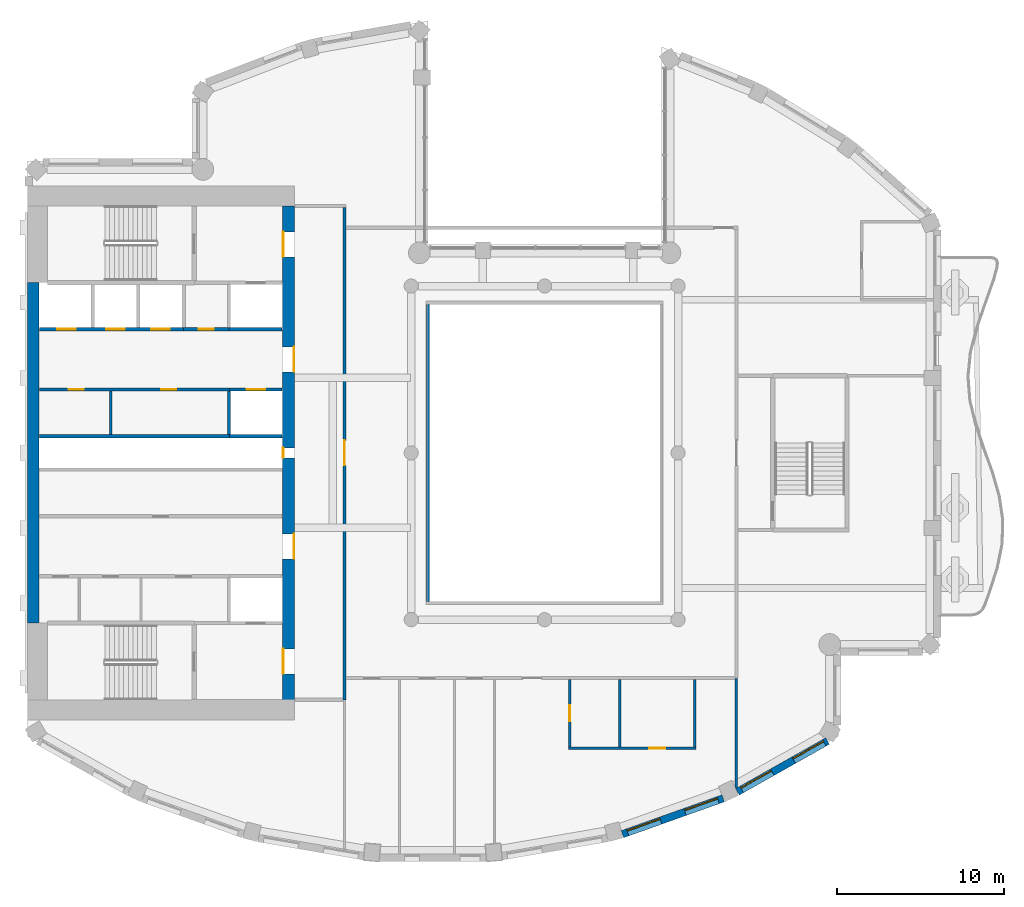
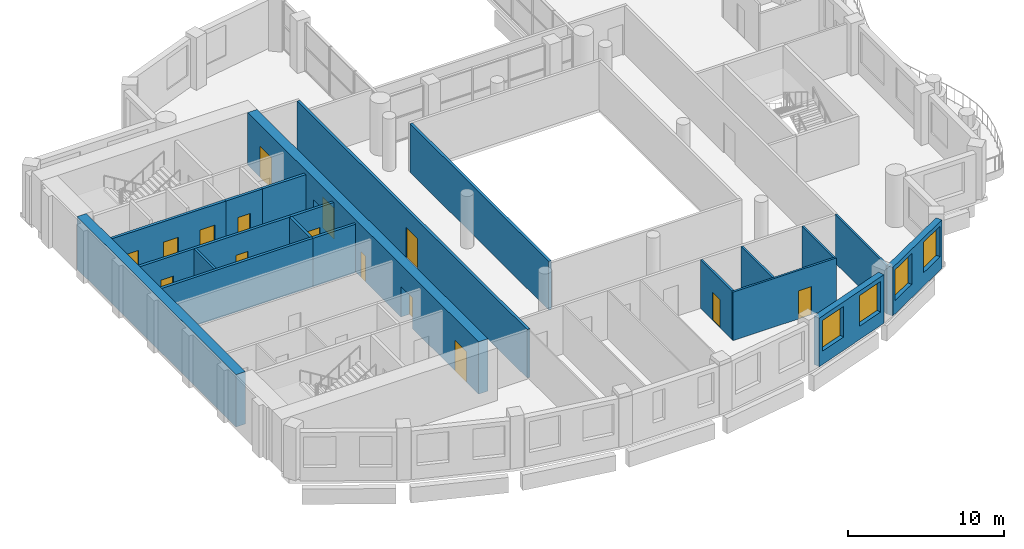
# One storey, part 5 of 14: 20 walls, 15 doors, 4 windows, 19 openings.
"""IFC4 building model written with IfcOpenShell, lengths in metres."""

import ifcopenshell
import ifcopenshell.guid

model = None  # the IFC model being written
_history = None  # IfcOwnerHistory: only IFC2X3 demands one
_inside = {}  # id of a spatial element -> (the spatial element, [elements in it])
_under = {}  # id of a project, library or spatial element -> (it, [spatial elements below it])
_declared = {}  # id of a project -> (the project, [libraries it declares])
_typed = {}  # id of a type object -> (the type object, [elements of that type])
_made_of = {}  # id of a material, layer set ... -> (it, [elements and type objects made of it])


def new_model(schema):
    """Start an empty IFC model of exactly this schema.

    Asked for "IFC4X3", IfcOpenShell would pick the latest addendum, in which some entities
    have other attributes; the version numbers below select the first issue.
    IFC2X3 requires an IfcOwnerHistory on every rooted entity: one is made here for all.
    """
    global model, _history
    if schema == "IFC4X3":
        model = ifcopenshell.file(schema_version=(4, 3, 0, 0))
    else:
        model = ifcopenshell.file(schema=schema)
    _inside.clear()
    _under.clear()
    _declared.clear()
    _typed.clear()
    _made_of.clear()
    _history = None
    if model.schema == "IFC2X3":
        org = make("IfcOrganization", Name="unknown")
        user = make(
            "IfcPersonAndOrganization",
            ThePerson=make("IfcPerson", FamilyName="unknown"),
            TheOrganization=org,
        )
        app = make(
            "IfcApplication",
            ApplicationDeveloper=org,
            Version="unknown",
            ApplicationFullName="unknown",
            ApplicationIdentifier="unknown",
        )
        _history = make(
            "IfcOwnerHistory",
            OwningUser=user,
            OwningApplication=app,
            ChangeAction="ADDED",
            CreationDate=0,
        )
    return model


def make(cls, **values):
    """One entity of the class cls with the attributes given. An attribute that is None is left unset."""
    return model.create_entity(
        cls, **{name: value for name, value in values.items() if value is not None}
    )


def rooted(cls, **values):
    """An entity with a GlobalId (a new one), such as an element, a storey or a relation."""
    return make(cls, GlobalId=ifcopenshell.guid.new(), OwnerHistory=_history, **values)


def si_unit(unit_type, name, prefix=None):
    """IfcSIUnit, for example si_unit("LENGTHUNIT", "METRE", prefix="MILLI")."""
    return make("IfcSIUnit", UnitType=unit_type, Prefix=prefix, Name=name)


def assignment(units):
    """IfcUnitAssignment: the units of a project."""
    return None if units is None else make("IfcUnitAssignment", Units=units)


def point(xyz):
    """IfcCartesianPoint."""
    return None if xyz is None else make("IfcCartesianPoint", Coordinates=xyz)


def direction(xyz):
    """IfcDirection."""
    return None if xyz is None else make("IfcDirection", DirectionRatios=xyz)


def frame(location, z_axis=None, x_axis=None):
    """IfcAxis2Placement3D, a coordinate frame: its origin and axes. An axis left out is left unset."""
    return make(
        "IfcAxis2Placement3D",
        Location=point(location),
        Axis=direction(z_axis),
        RefDirection=direction(x_axis),
    )


def frame_2d(location, x_axis=None):
    """IfcAxis2Placement2D, a coordinate frame in the plane: its origin and x axis."""
    return make(
        "IfcAxis2Placement2D", Location=point(location), RefDirection=direction(x_axis)
    )


def origin():
    """The frame at (0, 0, 0) with its axes left unset."""
    return frame((0.0, 0.0, 0.0))


def place(relative_to, where):
    """IfcLocalPlacement: puts the frame where relative to a parent placement (None: the world)."""
    return make(
        "IfcLocalPlacement", PlacementRelTo=relative_to, RelativePlacement=where
    )


def context(
    kind, dimensions, precision=None, world=None, true_north=None, identifier=None
):
    """IfcGeometricRepresentationContext, for example the 3D "Model" context."""
    return make(
        "IfcGeometricRepresentationContext",
        ContextIdentifier=identifier,
        ContextType=kind,
        CoordinateSpaceDimension=dimensions,
        Precision=precision,
        WorldCoordinateSystem=world,
        TrueNorth=true_north,
    )


def subcontext(parent, identifier, kind, view, scale=None):
    """IfcGeometricRepresentationSubContext, for example "Body" below "Model"."""
    return make(
        "IfcGeometricRepresentationSubContext",
        ContextIdentifier=identifier,
        ContextType=kind,
        ParentContext=parent,
        TargetScale=scale,
        TargetView=view,
    )


def project(units=None, contexts=None):
    """IfcProject with its units and contexts."""
    return rooted(
        "IfcProject",
        Name="project",
        RepresentationContexts=contexts,
        UnitsInContext=assignment(units),
    )


def spatial(cls, under=None, at=None, **own):
    """A site, building, storey or space (cls), placed at a placement, below another one or the project."""
    s = rooted(cls, ObjectPlacement=at, **own)
    if under is not None:
        _under.setdefault(under.id(), (under, []))[1].append(s)
    return s


def profile(cls, at=None, kind="AREA", **sizes):
    """A parametric profile (cls). Its sizes go by their IFC names, for example OverallWidth=200.0."""
    return make(cls, ProfileType=kind, Position=at, **sizes)


def rectangle(**sizes):
    """IfcRectangleProfileDef."""
    return profile("IfcRectangleProfileDef", **sizes)


def extrude(swept, where, along, depth):
    """IfcExtrudedAreaSolid: the profile swept, set in the frame where, extruded along a direction by depth."""
    return make(
        "IfcExtrudedAreaSolid",
        SweptArea=swept,
        Position=where,
        ExtrudedDirection=direction(along),
        Depth=depth,
    )


def shape(context_of_items, identifier, shape_type, items):
    """IfcShapeRepresentation: the items that make up one representation, for example the "Body"."""
    return make(
        "IfcShapeRepresentation",
        ContextOfItems=context_of_items,
        RepresentationIdentifier=identifier,
        RepresentationType=shape_type,
        Items=items,
    )


def material(Name=None, Category=None):
    """IfcMaterial."""
    return make("IfcMaterial", Name=Name, Category=Category)


def layer(
    of_material, thickness, ventilated=None, Name=None, Category=None, Priority=None
):
    """IfcMaterialLayer: one layer of a wall or slab, of a material (None: an air gap)."""
    return make(
        "IfcMaterialLayer",
        Material=of_material,
        LayerThickness=thickness,
        IsVentilated=ventilated,
        Name=Name,
        Category=Category,
        Priority=Priority,
    )


def layer_set(layers, Name=None):
    """IfcMaterialLayerSet."""
    return make("IfcMaterialLayerSet", MaterialLayers=layers, LayerSetName=Name)


def made_of(thing, what):
    """Note that an element or type object is made of a material, layer set ...; save() writes the relation."""
    if what is not None:
        _made_of.setdefault(what.id(), (what, []))[1].append(thing)
    return thing


def type_object(cls, material=None, **own):
    """A type object (cls), such as IfcWallType, which elements share."""
    return made_of(rooted(cls, **own), material)


def element(
    cls,
    number,
    at=None,
    inside=None,
    cuts=None,
    type_object=None,
    material=None,
    context=None,
    identifier="Body",
    shape_type=None,
    held_by="IfcProductDefinitionShape",
    body=None,
    shapes=None,
    **own,
):
    """One element of the class cls, such as IfcWall. Its Tag is "e" and its number.

    at: its placement. inside: the storey or other place that contains it. cuts: it is an
    opening in that element (IfcRelVoidsElement). A single representation is given by context,
    identifier, shape_type and body (its items); several are given by shapes. held_by: the class
    of the entity that holds the representations. save() writes the other relations.
    """
    e = rooted(cls, Tag="e%d" % number, ObjectPlacement=at, **own)
    if body is not None:
        shapes = [shape(context, identifier, shape_type, body)]
    if shapes is not None:
        e.Representation = make(held_by, Representations=shapes)
    if inside is not None:
        _inside.setdefault(inside.id(), (inside, []))[1].append(e)
    if cuts is not None:
        rooted(
            "IfcRelVoidsElement", RelatingBuildingElement=cuts, RelatedOpeningElement=e
        )
    if type_object is not None:
        _typed.setdefault(type_object.id(), (type_object, []))[1].append(e)
    return made_of(e, material)


def fill(opening, filler):
    """IfcRelFillsElement: the door or window that sits in an opening."""
    return rooted(
        "IfcRelFillsElement",
        RelatingOpeningElement=opening,
        RelatedBuildingElement=filler,
    )


def aggregate(whole, parts):
    """IfcRelAggregates: a whole, such as a stair, and the parts it consists of."""
    return rooted("IfcRelAggregates", RelatingObject=whole, RelatedObjects=parts)


def save(model, path):
    """Write the relations noted so far, then the file.

    IfcRelAggregates (storeys below a building ...), IfcRelContainedInSpatialStructure (elements
    in a storey), IfcRelDefinesByType, IfcRelAssociatesMaterial and IfcRelDeclares: one each for
    every whole, place, type object, material and project.
    """
    for whole, parts in _under.values():
        aggregate(whole, parts)
    for where, things in _inside.values():
        rooted(
            "IfcRelContainedInSpatialStructure",
            RelatedElements=things,
            RelatingStructure=where,
        )
    for kind, things in _typed.values():
        rooted("IfcRelDefinesByType", RelatedObjects=things, RelatingType=kind)
    for what, things in _made_of.values():
        rooted("IfcRelAssociatesMaterial", RelatedObjects=things, RelatingMaterial=what)
    for by, libraries in _declared.values():
        rooted("IfcRelDeclares", RelatingContext=by, RelatedDefinitions=libraries)
    model.write(path)


model = new_model("IFC4")

# Units and contexts
model_context = context("Model", 3, precision=1e-05, world=origin(), true_north=direction((0.0, 1.0)))
body_context = subcontext(model_context, "Body", "Model", "MODEL_VIEW")
ifc_project = project(units=[si_unit("LENGTHUNIT", "METRE"), si_unit("AREAUNIT", "SQUARE_METRE"), si_unit("VOLUMEUNIT", "CUBIC_METRE"), si_unit("PLANEANGLEUNIT", "RADIAN"), si_unit("MASSUNIT", "GRAM", prefix="KILO")], contexts=[model_context])

# Site, building, storey
site_placement = place(None, origin())
site = spatial("IfcSite", under=ifc_project, at=site_placement, CompositionType="ELEMENT")
building_placement = place(site_placement, origin())
building = spatial("IfcBuilding", under=site, at=building_placement, Name="Cypress Arch Tower", CompositionType="ELEMENT")
storey_placement = place(building_placement, frame((0.0, 0.0, 263.89990234375)))
storey = spatial("IfcBuildingStorey", under=building, at=storey_placement, Name="L59", CompositionType="ELEMENT", Elevation=263.89990234375)

# Wall, openings, windows
ifc_material_1 = material(Name="Brick (red buff blend)", Category="masonry")
ifc_layer_1 = layer(ifc_material_1, 0.449951171875)
ifc_layer_set_1 = layer_set([ifc_layer_1], Name="Brick pier and spandrel wall BW450")
wall_type_1 = type_object("IfcWallType", Name="Brick pier and spandrel wall BW450", PredefinedType="SOLIDWALL", material=ifc_layer_set_1)
wall_1_placement = place(storey_placement, frame((5.66455078125, -22.859375, 0.0), z_axis=(0.0, 0.0, 1.0), x_axis=(0.942108340262, 0.335308626803, 0.0)))
wall_1 = element("IfcWall", 1, at=wall_1_placement, inside=storey, type_object=wall_type_1, Name="Brick wall L59 C13.0", PredefinedType="SOLIDWALL", context=body_context, shape_type="SweptSolid", body=[
    extrude(rectangle(XDim=6.41162109375, YDim=0.449951171875, at=frame_2d((3.205810546875, 0.0))), origin(), (0.0, 0.0, 1.0), 3.800048828125),
])
opening_1_placement = place(wall_1_placement, frame((0.3271484375, 0.0, 1.050048828125)))
opening_1 = element("IfcOpeningElement", 2, at=opening_1_placement, cuts=wall_1, Name="Opening W210O", PredefinedType="OPENING", context=body_context, shape_type="SweptSolid", body=[
    extrude(rectangle(XDim=2.10009765625, YDim=2.39990234375, at=frame_2d((1.050048828125, 1.199951171875))), frame((0.0, 0.23486328125, 0.0), z_axis=(0.0, -1.0, 0.0), x_axis=(1.0, 0.0, 0.0)), (0.0, 0.0, 1.0), 0.469970703125),
])
opening_2_placement = place(wall_1_placement, frame((3.984619140625, 0.0, 1.050048828125)))
opening_2 = element("IfcOpeningElement", 3, at=opening_2_placement, cuts=wall_1, Name="Opening W210O", PredefinedType="OPENING", context=body_context, shape_type="SweptSolid", body=[
    extrude(rectangle(XDim=2.10009765625, YDim=2.39990234375, at=frame_2d((1.050048828125, 1.199951171875))), frame((0.0, 0.23486328125, 0.0), z_axis=(0.0, -1.0, 0.0), x_axis=(1.0, 0.0, 0.0)), (0.0, 0.0, 1.0), 0.469970703125),
])
ifc_material_2 = material(Name="Anodised aluminium, bronze finish, clear low-emissivity double glazing", Category="aluminium")
window_type = type_object("IfcWindowType", Name="Window Office 2100x2400", PartitioningType="SINGLE_PANEL", PredefinedType="WINDOW", material=ifc_material_2)
window_1_placement = place(opening_1_placement, origin())
window_1 = element("IfcWindow", 4, at=window_1_placement, inside=storey, type_object=window_type, Name="Window L59 C13.0.1", OverallHeight=2.39990234375, OverallWidth=2.10009765625, PartitioningType="SINGLE_PANEL", PredefinedType="WINDOW", context=body_context, shape_type="SweptSolid", body=[
    extrude(rectangle(XDim=2.10009765625, YDim=2.39990234375, at=frame_2d((1.050048828125, 1.199951171875))), frame((0.0, 0.135009765625, 0.0), z_axis=(0.0, -1.0, 0.0), x_axis=(1.0, 0.0, 0.0)), (0.0, 0.0, 1.0), 0.06005859375),
])
fill(opening_1, window_1)
window_2_placement = place(opening_2_placement, origin())
window_2 = element("IfcWindow", 5, at=window_2_placement, inside=storey, type_object=window_type, Name="Window L59 C13.0.2", OverallHeight=2.39990234375, OverallWidth=2.10009765625, PartitioningType="SINGLE_PANEL", PredefinedType="WINDOW", context=body_context, shape_type="SweptSolid", body=[
    extrude(rectangle(XDim=2.10009765625, YDim=2.39990234375, at=frame_2d((1.050048828125, 1.199951171875))), frame((0.0, 0.135009765625, 0.0), z_axis=(0.0, -1.0, 0.0), x_axis=(1.0, 0.0, 0.0)), (0.0, 0.0, 1.0), 0.06005859375),
])
fill(opening_2, window_2)

wall_2_placement = place(storey_placement, frame((12.55908203125, -20.320068359375, 0.0), z_axis=(0.0, 0.0, 1.0), x_axis=(0.871065783524, 0.491166367714, 0.0)))
wall_2 = element("IfcWall", 6, at=wall_2_placement, inside=storey, type_object=wall_type_1, Name="Brick wall L59 C14.0", PredefinedType="SOLIDWALL", context=body_context, shape_type="SweptSolid", body=[
    extrude(rectangle(XDim=6.1962890625, YDim=0.449951171875, at=frame_2d((3.09814453125, 0.0))), origin(), (0.0, 0.0, 1.0), 3.800048828125),
])
opening_3_placement = place(wall_2_placement, frame((0.29052734375, 0.0, 1.050048828125)))
opening_3 = element("IfcOpeningElement", 7, at=opening_3_placement, cuts=wall_2, Name="Opening W210O", PredefinedType="OPENING", context=body_context, shape_type="SweptSolid", body=[
    extrude(rectangle(XDim=2.10009765625, YDim=2.39990234375, at=frame_2d((1.050048828125, 1.199951171875))), frame((0.0, 0.23486328125, 0.0), z_axis=(0.0, -1.0, 0.0), x_axis=(1.0, 0.0, 0.0)), (0.0, 0.0, 1.0), 0.469970703125),
])
opening_4_placement = place(wall_2_placement, frame((3.875244140625, 0.0, 1.050048828125)))
opening_4 = element("IfcOpeningElement", 8, at=opening_4_placement, cuts=wall_2, Name="Opening W210O", PredefinedType="OPENING", context=body_context, shape_type="SweptSolid", body=[
    extrude(rectangle(XDim=2.10009765625, YDim=2.39990234375, at=frame_2d((1.050048828125, 1.199951171875))), frame((0.0, 0.23486328125, 0.0), z_axis=(0.0, -1.0, 0.0), x_axis=(1.0, 0.0, 0.0)), (0.0, 0.0, 1.0), 0.469970703125),
])
window_3_placement = place(opening_3_placement, origin())
window_3 = element("IfcWindow", 9, at=window_3_placement, inside=storey, type_object=window_type, Name="Window L59 C14.0.1", OverallHeight=2.39990234375, OverallWidth=2.10009765625, PartitioningType="SINGLE_PANEL", PredefinedType="WINDOW", context=body_context, shape_type="SweptSolid", body=[
    extrude(rectangle(XDim=2.10009765625, YDim=2.39990234375, at=frame_2d((1.050048828125, 1.199951171875))), frame((0.0, 0.135009765625, 0.0), z_axis=(0.0, -1.0, 0.0), x_axis=(1.0, 0.0, 0.0)), (0.0, 0.0, 1.0), 0.06005859375),
])
fill(opening_3, window_3)
window_4_placement = place(opening_4_placement, origin())
window_4 = element("IfcWindow", 10, at=window_4_placement, inside=storey, type_object=window_type, Name="Window L59 C14.0.2", OverallHeight=2.39990234375, OverallWidth=2.10009765625, PartitioningType="SINGLE_PANEL", PredefinedType="WINDOW", context=body_context, shape_type="SweptSolid", body=[
    extrude(rectangle(XDim=2.10009765625, YDim=2.39990234375, at=frame_2d((1.050048828125, 1.199951171875))), frame((0.0, 0.135009765625, 0.0), z_axis=(0.0, -1.0, 0.0), x_axis=(1.0, 0.0, 0.0)), (0.0, 0.0, 1.0), 0.06005859375),
])
fill(opening_4, window_4)

# Wall, openings, doors
ifc_material_3 = material(Name="Concrete C60/75", Category="concrete")
ifc_layer_2 = layer(ifc_material_3, 0.699951171875)
ifc_layer_set_2 = layer_set([ifc_layer_2], Name="Core wall CW700 C60/75")
wall_type_2 = type_object("IfcWallType", Name="Core wall CW700 C60/75", PredefinedType="SHEAR", material=ifc_layer_set_2)
wall_3_placement = place(storey_placement, frame((-14.35009765625, -14.800048828125, 0.0), z_axis=(0.0, 0.0, 1.0), x_axis=(0.0, 1.0, 0.0)))
wall_3 = element("IfcWall", 11, at=wall_3_placement, inside=storey, type_object=wall_type_2, Name="Core wall", PredefinedType="SHEAR", context=body_context, shape_type="SweptSolid", body=[
    extrude(rectangle(XDim=29.60009765625, YDim=0.699951171875, at=frame_2d((14.800048828125, 0.0))), origin(), (0.0, 0.0, 1.0), 4.10009765625),
])
opening_5_placement = place(wall_3_placement, frame((1.550048828125, 0.0, 0.0)))
opening_5 = element("IfcOpeningElement", 12, at=opening_5_placement, cuts=wall_3, Name="Opening D07", PredefinedType="OPENING", context=body_context, shape_type="SweptSolid", body=[
    extrude(rectangle(XDim=1.5, YDim=2.39990234375, at=frame_2d((0.75, 1.199951171875))), frame((0.0, 0.35986328125, 0.0), z_axis=(0.0, -1.0, 0.0), x_axis=(1.0, 0.0, 0.0)), (0.0, 0.0, 1.0), 0.719970703125),
])
opening_6_placement = place(wall_3_placement, frame((26.550048828125, 0.0, 0.0)))
opening_6 = element("IfcOpeningElement", 13, at=opening_6_placement, cuts=wall_3, Name="Opening D07", PredefinedType="OPENING", context=body_context, shape_type="SweptSolid", body=[
    extrude(rectangle(XDim=1.5, YDim=2.39990234375, at=frame_2d((0.75, 1.199951171875))), frame((0.0, 0.35986328125, 0.0), z_axis=(0.0, -1.0, 0.0), x_axis=(1.0, 0.0, 0.0)), (0.0, 0.0, 1.0), 0.719970703125),
])
opening_7_placement = place(wall_3_placement, frame((8.449951171875, 0.0, 0.0)))
opening_7 = element("IfcOpeningElement", 14, at=opening_7_placement, cuts=wall_3, Name="Opening D07", PredefinedType="OPENING", context=body_context, shape_type="SweptSolid", body=[
    extrude(rectangle(XDim=1.5, YDim=2.39990234375, at=frame_2d((0.75, 1.199951171875))), frame((0.0, 0.35986328125, 0.0), z_axis=(0.0, -1.0, 0.0), x_axis=(1.0, 0.0, 0.0)), (0.0, 0.0, 1.0), 0.719970703125),
])
opening_8_placement = place(wall_3_placement, frame((19.64990234375, 0.0, 0.0)))
opening_8 = element("IfcOpeningElement", 15, at=opening_8_placement, cuts=wall_3, Name="Opening D07", PredefinedType="OPENING", context=body_context, shape_type="SweptSolid", body=[
    extrude(rectangle(XDim=1.5, YDim=2.39990234375, at=frame_2d((0.75, 1.199951171875))), frame((0.0, 0.35986328125, 0.0), z_axis=(0.0, -1.0, 0.0), x_axis=(1.0, 0.0, 0.0)), (0.0, 0.0, 1.0), 0.719970703125),
])
opening_9_placement = place(wall_3_placement, frame((14.5, 0.0, 0.0)))
opening_9 = element("IfcOpeningElement", 16, at=opening_9_placement, cuts=wall_3, Name="Opening D08", PredefinedType="OPENING", context=body_context, shape_type="SweptSolid", body=[
    extrude(rectangle(XDim=0.60009765625, YDim=2.0, at=frame_2d((0.300048828125, 1.0))), frame((0.0, 0.35986328125, 0.0), z_axis=(0.0, -1.0, 0.0), x_axis=(1.0, 0.0, 0.0)), (0.0, 0.0, 1.0), 0.719970703125),
])
ifc_material_4 = material(Name="Steel framed glazed door, fire resisting", Category="steel")
door_type_1 = type_object("IfcDoorType", Name="Lobby door D07 1500x2400", OperationType="DOUBLE_DOOR_SINGLE_SWING", PredefinedType="DOOR", material=ifc_material_4)
door_1_placement = place(opening_5_placement, origin())
door_1 = element("IfcDoor", 17, at=door_1_placement, inside=storey, type_object=door_type_1, Name="Lobby door", OperationType="DOUBLE_DOOR_SINGLE_SWING", OverallHeight=2.39990234375, OverallWidth=1.5, PredefinedType="DOOR", context=body_context, shape_type="SweptSolid", body=[
    extrude(rectangle(XDim=1.5, YDim=2.39990234375, at=frame_2d((0.75, 1.199951171875))), frame((0.0, 0.34521484375, 0.0), z_axis=(0.0, -1.0, 0.0), x_axis=(1.0, 0.0, 0.0)), (0.0, 0.0, 1.0), 0.050048828125),
])
fill(opening_5, door_1)
door_2_placement = place(opening_6_placement, origin())
door_2 = element("IfcDoor", 18, at=door_2_placement, inside=storey, type_object=door_type_1, Name="Lobby door", OperationType="DOUBLE_DOOR_SINGLE_SWING", OverallHeight=2.39990234375, OverallWidth=1.5, PredefinedType="DOOR", context=body_context, shape_type="SweptSolid", body=[
    extrude(rectangle(XDim=1.5, YDim=2.39990234375, at=frame_2d((0.75, 1.199951171875))), frame((0.0, 0.34521484375, 0.0), z_axis=(0.0, -1.0, 0.0), x_axis=(1.0, 0.0, 0.0)), (0.0, 0.0, 1.0), 0.050048828125),
])
fill(opening_6, door_2)
door_3_placement = place(opening_7_placement, origin())
door_3 = element("IfcDoor", 19, at=door_3_placement, inside=storey, type_object=door_type_1, Name="Lobby door", OperationType="DOUBLE_DOOR_SINGLE_SWING", OverallHeight=2.39990234375, OverallWidth=1.5, PredefinedType="DOOR", context=body_context, shape_type="SweptSolid", body=[
    extrude(rectangle(XDim=1.5, YDim=2.39990234375, at=frame_2d((0.75, 1.199951171875))), frame((0.0, -0.294921875, 0.0), z_axis=(0.0, -1.0, 0.0), x_axis=(1.0, 0.0, 0.0)), (0.0, 0.0, 1.0), 0.050048828125),
])
fill(opening_7, door_3)
door_4_placement = place(opening_8_placement, origin())
door_4 = element("IfcDoor", 20, at=door_4_placement, inside=storey, type_object=door_type_1, Name="Lobby door", OperationType="DOUBLE_DOOR_SINGLE_SWING", OverallHeight=2.39990234375, OverallWidth=1.5, PredefinedType="DOOR", context=body_context, shape_type="SweptSolid", body=[
    extrude(rectangle(XDim=1.5, YDim=2.39990234375, at=frame_2d((0.75, 1.199951171875))), frame((0.0, -0.294921875, 0.0), z_axis=(0.0, -1.0, 0.0), x_axis=(1.0, 0.0, 0.0)), (0.0, 0.0, 1.0), 0.050048828125),
])
fill(opening_8, door_4)
ifc_material_5 = material(Name="Steel access door, fire resisting", Category="steel")
door_type_2 = type_object("IfcDoorType", Name="Riser access door D08 600x2000", OperationType="SINGLE_SWING_LEFT", PredefinedType="DOOR", material=ifc_material_5)
door_5_placement = place(opening_9_placement, origin())
door_5 = element("IfcDoor", 21, at=door_5_placement, inside=storey, type_object=door_type_2, Name="Riser access door", OperationType="SINGLE_SWING_RIGHT", OverallHeight=2.0, OverallWidth=0.60009765625, PredefinedType="DOOR", context=body_context, shape_type="SweptSolid", body=[
    extrude(rectangle(XDim=0.60009765625, YDim=2.0, at=frame_2d((0.300048828125, 1.0))), frame((0.0, 0.34521484375, 0.0), z_axis=(0.0, -1.0, 0.0), x_axis=(1.0, 0.0, 0.0)), (0.0, 0.0, 1.0), 0.050048828125),
])
fill(opening_9, door_5)

# Wall
wall_4_placement = place(storey_placement, frame((-29.64990234375, -10.199951171875, 0.0), z_axis=(0.0, 0.0, 1.0), x_axis=(0.0, 1.0, 0.0)))
element("IfcWall", 22, at=wall_4_placement, inside=storey, type_object=wall_type_2, Name="Core wall", PredefinedType="SHEAR", context=body_context, shape_type="SweptSolid", body=[
    extrude(rectangle(XDim=20.39990234375, YDim=0.699951171875, at=frame_2d((10.199951171875, 0.0))), origin(), (0.0, 0.0, 1.0), 4.10009765625),
])

# Wall, openings, doors
ifc_material_6 = material(Name="Concrete blockwork, plastered, rated", Category="masonry")
ifc_layer_3 = layer(ifc_material_6, 0.199951171875)
ifc_layer_set_3 = layer_set([ifc_layer_3], Name="Corridor wall FW200")
wall_type_3 = type_object("IfcWallType", Name="Corridor wall FW200", PredefinedType="PARTITIONING", material=ifc_layer_set_3)
wall_5_placement = place(storey_placement, frame((-29.27001953125, 3.800048828125, 0.0), z_axis=(0.0, 0.0, 1.0), x_axis=(1.0, 0.0, 0.0)))
wall_5 = element("IfcWall", 23, at=wall_5_placement, inside=storey, type_object=wall_type_3, Name="Corridor wall", PredefinedType="PARTITIONING", context=body_context, shape_type="SweptSolid", body=[
    extrude(rectangle(XDim=11.3701171875, YDim=0.199951171875, at=frame_2d((5.68505859375, 0.0))), origin(), (0.0, 0.0, 1.0), 3.800048828125),
])
opening_10_placement = place(wall_5_placement, frame((1.75, 0.0, 0.0)))
opening_10 = element("IfcOpeningElement", 24, at=opening_10_placement, cuts=wall_5, Name="Opening D05", PredefinedType="OPENING", context=body_context, shape_type="SweptSolid", body=[
    extrude(rectangle(XDim=0.89990234375, YDim=2.199951171875, at=frame_2d((0.449951171875, 1.10009765625))), frame((0.0, 0.10986328125, 0.0), z_axis=(0.0, -1.0, 0.0), x_axis=(1.0, 0.0, 0.0)), (0.0, 0.0, 1.0), 0.219970703125),
])
opening_11_placement = place(wall_5_placement, frame((7.300048828125, 0.0, 0.0)))
opening_11 = element("IfcOpeningElement", 25, at=opening_11_placement, cuts=wall_5, Name="Opening D05", PredefinedType="OPENING", context=body_context, shape_type="SweptSolid", body=[
    extrude(rectangle(XDim=0.89990234375, YDim=2.199951171875, at=frame_2d((0.449951171875, 1.10009765625))), frame((0.0, 0.10986328125, 0.0), z_axis=(0.0, -1.0, 0.0), x_axis=(1.0, 0.0, 0.0)), (0.0, 0.0, 1.0), 0.219970703125),
])
ifc_material_7 = material(Name="Timber flush door", Category="wood")
door_type_3 = type_object("IfcDoorType", Name="Service door D05 900x2200", OperationType="SINGLE_SWING_LEFT", PredefinedType="DOOR", material=ifc_material_7)
door_6_placement = place(opening_10_placement, origin())
door_6 = element("IfcDoor", 26, at=door_6_placement, inside=storey, type_object=door_type_3, Name="Service door", OperationType="SINGLE_SWING_LEFT", OverallHeight=2.199951171875, OverallWidth=0.89990234375, PredefinedType="DOOR", context=body_context, shape_type="SweptSolid", body=[
    extrude(rectangle(XDim=0.89990234375, YDim=2.199951171875, at=frame_2d((0.449951171875, 1.10009765625))), frame((0.0, 0.02490234375, 0.0), z_axis=(0.0, -1.0, 0.0), x_axis=(1.0, 0.0, 0.0)), (0.0, 0.0, 1.0), 0.050048828125),
])
fill(opening_10, door_6)
door_7_placement = place(opening_11_placement, origin())
door_7 = element("IfcDoor", 27, at=door_7_placement, inside=storey, type_object=door_type_3, Name="Service door", OperationType="SINGLE_SWING_RIGHT", OverallHeight=2.199951171875, OverallWidth=0.89990234375, PredefinedType="DOOR", context=body_context, shape_type="SweptSolid", body=[
    extrude(rectangle(XDim=0.89990234375, YDim=2.199951171875, at=frame_2d((0.449951171875, 1.10009765625))), frame((0.0, 0.02490234375, 0.0), z_axis=(0.0, -1.0, 0.0), x_axis=(1.0, 0.0, 0.0)), (0.0, 0.0, 1.0), 0.050048828125),
])
fill(opening_11, door_7)

# Wall, opening, door
wall_6_placement = place(storey_placement, frame((-20.639892578125, 7.39990234375, 0.0), z_axis=(0.0, 0.0, 1.0), x_axis=(1.0, 0.0, 0.0)))
wall_6 = element("IfcWall", 28, at=wall_6_placement, inside=storey, type_object=wall_type_3, Name="Corridor wall", PredefinedType="PARTITIONING", context=body_context, shape_type="SweptSolid", body=[
    extrude(rectangle(XDim=2.719970703125, YDim=0.199951171875, at=frame_2d((1.35986328125, 0.0))), origin(), (0.0, 0.0, 1.0), 3.800048828125),
])
opening_12_placement = place(wall_6_placement, frame((0.89990234375, 0.0, 0.0)))
opening_12 = element("IfcOpeningElement", 29, at=opening_12_placement, cuts=wall_6, Name="Opening D05", PredefinedType="OPENING", context=body_context, shape_type="SweptSolid", body=[
    extrude(rectangle(XDim=0.89990234375, YDim=2.199951171875, at=frame_2d((0.449951171875, 1.10009765625))), frame((0.0, 0.10986328125, 0.0), z_axis=(0.0, -1.0, 0.0), x_axis=(1.0, 0.0, 0.0)), (0.0, 0.0, 1.0), 0.219970703125),
])
door_8_placement = place(opening_12_placement, origin())
door_8 = element("IfcDoor", 30, at=door_8_placement, inside=storey, type_object=door_type_3, Name="Service door", OperationType="SINGLE_SWING_LEFT", OverallHeight=2.199951171875, OverallWidth=0.89990234375, PredefinedType="DOOR", context=body_context, shape_type="SweptSolid", body=[
    extrude(rectangle(XDim=0.89990234375, YDim=2.199951171875, at=frame_2d((0.449951171875, 1.10009765625))), frame((0.0, 0.02490234375, 0.0), z_axis=(0.0, -1.0, 0.0), x_axis=(1.0, 0.0, 0.0)), (0.0, 0.0, 1.0), 0.050048828125),
])
fill(opening_12, door_8)

wall_7_placement = place(storey_placement, frame((-11.0, -14.800048828125, 0.0), z_axis=(0.0, 0.0, 1.0), x_axis=(0.0, 1.0, 0.0)))
wall_7 = element("IfcWall", 31, at=wall_7_placement, inside=storey, type_object=wall_type_3, Name="Corridor wall", PredefinedType="PARTITIONING", context=body_context, shape_type="SweptSolid", body=[
    extrude(rectangle(XDim=29.5, YDim=0.199951171875, at=frame_2d((14.75, 0.0))), origin(), (0.0, 0.0, 1.0), 3.800048828125),
])
opening_13_placement = place(wall_7_placement, frame((14.050048828125, 0.0, 0.0)))
opening_13 = element("IfcOpeningElement", 32, at=opening_13_placement, cuts=wall_7, Name="Opening D07", PredefinedType="OPENING", context=body_context, shape_type="SweptSolid", body=[
    extrude(rectangle(XDim=1.5, YDim=2.39990234375, at=frame_2d((0.75, 1.199951171875))), frame((0.0, 0.10986328125, 0.0), z_axis=(0.0, -1.0, 0.0), x_axis=(1.0, 0.0, 0.0)), (0.0, 0.0, 1.0), 0.219970703125),
])
door_9_placement = place(opening_13_placement, origin())
door_9 = element("IfcDoor", 33, at=door_9_placement, inside=storey, type_object=door_type_1, Name="Lobby door", OperationType="DOUBLE_DOOR_SINGLE_SWING", OverallHeight=2.39990234375, OverallWidth=1.5, PredefinedType="DOOR", context=body_context, shape_type="SweptSolid", body=[
    extrude(rectangle(XDim=1.5, YDim=2.39990234375, at=frame_2d((0.75, 1.199951171875))), frame((0.0, 0.02490234375, 0.0), z_axis=(0.0, -1.0, 0.0), x_axis=(1.0, 0.0, 0.0)), (0.0, 0.0, 1.0), 0.050048828125),
])
fill(opening_13, door_9)

# Walls
wall_8_placement = place(storey_placement, frame((-6.0, -8.89990234375, 0.0), z_axis=(0.0, 0.0, 1.0), x_axis=(0.0, 1.0, 0.0)))
element("IfcWall", 34, at=wall_8_placement, inside=storey, type_object=wall_type_3, Name="Corridor wall", PredefinedType="PARTITIONING", context=body_context, shape_type="SweptSolid", body=[
    extrude(rectangle(XDim=17.7998046875, YDim=0.199951171875, at=frame_2d((8.89990234375, 0.0))), origin(), (0.0, 0.0, 1.0), 3.800048828125),
])
ifc_material_8 = material(Name="Blockwork, plastered both sides", Category="masonry")
ifc_layer_4 = layer(ifc_material_8, 0.14990234375)
ifc_layer_set_4 = layer_set([ifc_layer_4], Name="Partition PW150")
wall_type_4 = type_object("IfcWallType", Name="Partition PW150", PredefinedType="PARTITIONING", material=ifc_layer_set_4)
wall_9_placement = place(storey_placement, frame((-25.0, 1.10009765625, 0.0), z_axis=(0.0, 0.0, 1.0), x_axis=(0.0, 1.0, 0.0)))
element("IfcWall", 35, at=wall_9_placement, inside=storey, type_object=wall_type_4, Name="Partition", PredefinedType="PARTITIONING", context=body_context, shape_type="SweptSolid", body=[
    extrude(rectangle(XDim=2.599853515625, YDim=0.14990234375, at=frame_2d((1.2998046875, 0.0))), origin(), (0.0, 0.0, 1.0), 3.800048828125),
])

# Wall, opening, door
wall_10_placement = place(storey_placement, frame((2.5009765625, -17.625, 0.0), z_axis=(0.0, 0.0, 1.0), x_axis=(0.0, 1.0, 0.0)))
wall_10 = element("IfcWall", 36, at=wall_10_placement, inside=storey, type_object=wall_type_4, Name="Partition", PredefinedType="PARTITIONING", context=body_context, shape_type="SweptSolid", body=[
    extrude(rectangle(XDim=4.02490234375, YDim=0.14990234375, at=frame_2d((2.012451171875, 0.0))), origin(), (0.0, 0.0, 1.0), 3.800048828125),
])
opening_14_placement = place(wall_10_placement, frame((1.550048828125, 0.0, 0.0)))
opening_14 = element("IfcOpeningElement", 37, at=opening_14_placement, cuts=wall_10, Name="Opening D12", PredefinedType="OPENING", context=body_context, shape_type="SweptSolid", body=[
    extrude(rectangle(XDim=0.949951171875, YDim=2.199951171875, at=frame_2d((0.47509765625, 1.10009765625))), frame((0.0, 0.0849609375, 0.0), z_axis=(0.0, -1.0, 0.0), x_axis=(1.0, 0.0, 0.0)), (0.0, 0.0, 1.0), 0.169921875),
])
ifc_material_9 = material(Name="Timber flush door", Category="wood")
door_type_4 = type_object("IfcDoorType", Name="Room door D12 950x2200", OperationType="SINGLE_SWING_LEFT", PredefinedType="DOOR", material=ifc_material_9)
door_10_placement = place(opening_14_placement, origin())
door_10 = element("IfcDoor", 38, at=door_10_placement, inside=storey, type_object=door_type_4, Name="Room door", OperationType="SINGLE_SWING_RIGHT", OverallHeight=2.199951171875, OverallWidth=0.949951171875, PredefinedType="DOOR", context=body_context, shape_type="SweptSolid", body=[
    extrude(rectangle(XDim=0.949951171875, YDim=2.199951171875, at=frame_2d((0.47509765625, 1.10009765625))), frame((0.0, 0.02490234375, 0.0), z_axis=(0.0, -1.0, 0.0), x_axis=(1.0, 0.0, 0.0)), (0.0, 0.0, 1.0), 0.050048828125),
])
fill(opening_14, door_10)

wall_11_placement = place(storey_placement, frame((2.426025390625, -17.699951171875, 0.0), z_axis=(0.0, 0.0, 1.0), x_axis=(1.0, 0.0, 0.0)))
wall_11 = element("IfcWall", 39, at=wall_11_placement, inside=storey, type_object=wall_type_4, Name="Partition", PredefinedType="PARTITIONING", context=body_context, shape_type="SweptSolid", body=[
    extrude(rectangle(XDim=7.64990234375, YDim=0.14990234375, at=frame_2d((3.824951171875, 0.0))), origin(), (0.0, 0.0, 1.0), 3.800048828125),
])
opening_15_placement = place(wall_11_placement, frame((4.85009765625, 0.0, 0.0)))
opening_15 = element("IfcOpeningElement", 40, at=opening_15_placement, cuts=wall_11, Name="Opening D12", PredefinedType="OPENING", context=body_context, shape_type="SweptSolid", body=[
    extrude(rectangle(XDim=0.949951171875, YDim=2.199951171875, at=frame_2d((0.47509765625, 1.10009765625))), frame((0.0, 0.0849609375, 0.0), z_axis=(0.0, -1.0, 0.0), x_axis=(1.0, 0.0, 0.0)), (0.0, 0.0, 1.0), 0.169921875),
])
door_11_placement = place(opening_15_placement, origin())
door_11 = element("IfcDoor", 41, at=door_11_placement, inside=storey, type_object=door_type_4, Name="Room door", OperationType="SINGLE_SWING_LEFT", OverallHeight=2.199951171875, OverallWidth=0.949951171875, PredefinedType="DOOR", context=body_context, shape_type="SweptSolid", body=[
    extrude(rectangle(XDim=0.949951171875, YDim=2.199951171875, at=frame_2d((0.47509765625, 1.10009765625))), frame((0.0, 0.02490234375, 0.0), z_axis=(0.0, -1.0, 0.0), x_axis=(1.0, 0.0, 0.0)), (0.0, 0.0, 1.0), 0.050048828125),
])
fill(opening_15, door_11)

# Walls
for number, where, z_axis, x_axis, name in (
    (42, (5.5009765625, -17.625, 0.0), (0.0, 0.0, 1.0), (0.0, 1.0, 0.0), "Partition"),
    (43, (10.0009765625, -17.625, 0.0), (0.0, 0.0, 1.0), (0.0, 1.0, 0.0), "Partition"),
):
    element("IfcWall", number, at=place(storey_placement, frame(where, z_axis=z_axis, x_axis=x_axis)), inside=storey, type_object=wall_type_4, Name=name, PredefinedType="PARTITIONING", context=body_context, shape_type="SweptSolid", body=[
        extrude(rectangle(XDim=4.02490234375, YDim=0.14990234375, at=frame_2d((2.012451171875, 0.0))), origin(), (0.0, 0.0, 1.0), 3.800048828125),
    ])
wall_12_placement = place(storey_placement, frame((12.5, -20.09521484375, 0.0), z_axis=(0.0, 0.0, 1.0), x_axis=(0.0, 1.0, 0.0)))
element("IfcWall", 44, at=wall_12_placement, inside=storey, type_object=wall_type_4, Name="Partition", PredefinedType="PARTITIONING", context=body_context, shape_type="SweptSolid", body=[
    extrude(rectangle(XDim=6.5751953125, YDim=0.14990234375, at=frame_2d((3.28759765625, 0.0))), origin(), (0.0, 0.0, 1.0), 3.800048828125),
])
ifc_material_10 = material(Name="Reinforced blockwork, plastered, rated", Category="masonry")
ifc_layer_5 = layer(ifc_material_10, 0.199951171875)
ifc_layer_set_5 = layer_set([ifc_layer_5], Name="Plant and riser wall PL200")
wall_type_5 = type_object("IfcWallType", Name="Plant and riser wall PL200", PredefinedType="PARTITIONING", material=ifc_layer_set_5)
wall_13_placement = place(storey_placement, frame((-29.27001953125, 1.0, 0.0), z_axis=(0.0, 0.0, 1.0), x_axis=(1.0, 0.0, 0.0)))
element("IfcWall", 45, at=wall_13_placement, inside=storey, type_object=wall_type_5, Name="Plant and riser wall", PredefinedType="PARTITIONING", context=body_context, shape_type="SweptSolid", body=[
    extrude(rectangle(XDim=11.3701171875, YDim=0.199951171875, at=frame_2d((5.68505859375, 0.0))), origin(), (0.0, 0.0, 1.0), 3.800048828125),
])

# Wall, openings, doors
ifc_material_11 = material(Name="Concrete C50/60", Category="concrete")
ifc_layer_6 = layer(ifc_material_11, 0.199951171875)
ifc_layer_set_6 = layer_set([ifc_layer_6], Name="Shaft wall SH200")
wall_type_6 = type_object("IfcWallType", Name="Shaft wall SH200", PredefinedType="SHEAR", material=ifc_layer_set_6)
wall_14_placement = place(storey_placement, frame((-29.27001953125, 7.39990234375, 0.0), z_axis=(0.0, 0.0, 1.0), x_axis=(1.0, 0.0, 0.0)))
wall_14 = element("IfcWall", 46, at=wall_14_placement, inside=storey, type_object=wall_type_6, Name="Shaft wall", PredefinedType="SHEAR", context=body_context, shape_type="SweptSolid", body=[
    extrude(rectangle(XDim=8.630126953125, YDim=0.199951171875, at=frame_2d((4.31494140625, 0.0))), origin(), (0.0, 0.0, 1.0), 3.800048828125),
])
opening_16_placement = place(wall_14_placement, frame((1.050048828125, 0.0, 0.0)))
opening_16 = element("IfcOpeningElement", 47, at=opening_16_placement, cuts=wall_14, Name="Opening LD-HR5", PredefinedType="OPENING", context=body_context, shape_type="SweptSolid", body=[
    extrude(rectangle(XDim=1.10009765625, YDim=2.199951171875, at=frame_2d((0.550048828125, 1.10009765625))), frame((0.0, 0.10986328125, 0.0), z_axis=(0.0, -1.0, 0.0), x_axis=(1.0, 0.0, 0.0)), (0.0, 0.0, 1.0), 0.219970703125),
])
opening_17_placement = place(wall_14_placement, frame((4.0, 0.0, 0.0)))
opening_17 = element("IfcOpeningElement", 48, at=opening_17_placement, cuts=wall_14, Name="Opening LD-HR6", PredefinedType="OPENING", context=body_context, shape_type="SweptSolid", body=[
    extrude(rectangle(XDim=1.10009765625, YDim=2.199951171875, at=frame_2d((0.550048828125, 1.10009765625))), frame((0.0, 0.10986328125, 0.0), z_axis=(0.0, -1.0, 0.0), x_axis=(1.0, 0.0, 0.0)), (0.0, 0.0, 1.0), 0.219970703125),
])
opening_18_placement = place(wall_14_placement, frame((6.699951171875, 0.0, 0.0)))
opening_18 = element("IfcOpeningElement", 49, at=opening_18_placement, cuts=wall_14, Name="Opening LD-HR7", PredefinedType="OPENING", context=body_context, shape_type="SweptSolid", body=[
    extrude(rectangle(XDim=1.10009765625, YDim=2.199951171875, at=frame_2d((0.550048828125, 1.10009765625))), frame((0.0, 0.10986328125, 0.0), z_axis=(0.0, -1.0, 0.0), x_axis=(1.0, 0.0, 0.0)), (0.0, 0.0, 1.0), 0.219970703125),
])
ifc_material_12 = material(Name="Stainless steel centre-opening landing door, rated", Category="steel")
door_type_5 = type_object("IfcDoorType", Name="Lift landing door LD 1100x2200", OperationType="DOUBLE_DOOR_SLIDING", PredefinedType="DOOR", material=ifc_material_12)
door_12_placement = place(opening_16_placement, origin())
door_12 = element("IfcDoor", 50, at=door_12_placement, inside=storey, type_object=door_type_5, Name="Lift landing doors HR5", OperationType="DOUBLE_DOOR_SLIDING", OverallHeight=2.199951171875, OverallWidth=1.10009765625, PredefinedType="DOOR", context=body_context, shape_type="SweptSolid", body=[
    extrude(rectangle(XDim=1.10009765625, YDim=2.199951171875, at=frame_2d((0.550048828125, 1.10009765625))), frame((0.0, 0.02490234375, 0.0), z_axis=(0.0, -1.0, 0.0), x_axis=(1.0, 0.0, 0.0)), (0.0, 0.0, 1.0), 0.050048828125),
])
fill(opening_16, door_12)
door_13_placement = place(opening_17_placement, origin())
door_13 = element("IfcDoor", 51, at=door_13_placement, inside=storey, type_object=door_type_5, Name="Lift landing doors HR6", OperationType="DOUBLE_DOOR_SLIDING", OverallHeight=2.199951171875, OverallWidth=1.10009765625, PredefinedType="DOOR", context=body_context, shape_type="SweptSolid", body=[
    extrude(rectangle(XDim=1.10009765625, YDim=2.199951171875, at=frame_2d((0.550048828125, 1.10009765625))), frame((0.0, 0.02490234375, 0.0), z_axis=(0.0, -1.0, 0.0), x_axis=(1.0, 0.0, 0.0)), (0.0, 0.0, 1.0), 0.050048828125),
])
fill(opening_17, door_13)
door_14_placement = place(opening_18_placement, origin())
door_14 = element("IfcDoor", 52, at=door_14_placement, inside=storey, type_object=door_type_5, Name="Lift landing doors HR7", OperationType="DOUBLE_DOOR_SLIDING", OverallHeight=2.199951171875, OverallWidth=1.10009765625, PredefinedType="DOOR", context=body_context, shape_type="SweptSolid", body=[
    extrude(rectangle(XDim=1.10009765625, YDim=2.199951171875, at=frame_2d((0.550048828125, 1.10009765625))), frame((0.0, 0.02490234375, 0.0), z_axis=(0.0, -1.0, 0.0), x_axis=(1.0, 0.0, 0.0)), (0.0, 0.0, 1.0), 0.050048828125),
])
fill(opening_18, door_14)

# Walls
wall_15_placement = place(storey_placement, frame((-17.919921875, 1.10009765625, 0.0), z_axis=(0.0, 0.0, 1.0), x_axis=(0.0, 1.0, 0.0)))
element("IfcWall", 53, at=wall_15_placement, inside=storey, type_object=wall_type_6, Name="Shaft wall", PredefinedType="SHEAR", context=body_context, shape_type="SweptSolid", body=[
    extrude(rectangle(XDim=2.599853515625, YDim=0.199951171875, at=frame_2d((1.2998046875, 0.0))), origin(), (0.0, 0.0, 1.0), 3.800048828125),
])
wall_16_placement = place(storey_placement, frame((-17.89990234375, 1.0, 0.0), z_axis=(0.0, 0.0, 1.0), x_axis=(1.0, 0.0, 0.0)))
element("IfcWall", 54, at=wall_16_placement, inside=storey, type_object=wall_type_6, Name="Shaft wall", PredefinedType="SHEAR", context=body_context, shape_type="SweptSolid", body=[
    extrude(rectangle(XDim=3.169921875, YDim=0.199951171875, at=frame_2d((1.5849609375, 0.0))), origin(), (0.0, 0.0, 1.0), 3.800048828125),
])

# Wall, opening, door
wall_17_placement = place(storey_placement, frame((-17.89990234375, 3.800048828125, 0.0), z_axis=(0.0, 0.0, 1.0), x_axis=(1.0, 0.0, 0.0)))
wall_17 = element("IfcWall", 55, at=wall_17_placement, inside=storey, type_object=wall_type_6, Name="Shaft wall", PredefinedType="SHEAR", context=body_context, shape_type="SweptSolid", body=[
    extrude(rectangle(XDim=3.169921875, YDim=0.199951171875, at=frame_2d((1.5849609375, 0.0))), origin(), (0.0, 0.0, 1.0), 3.800048828125),
])
opening_19_placement = place(wall_17_placement, frame((1.050048828125, 0.0, 0.0)))
opening_19 = element("IfcOpeningElement", 56, at=opening_19_placement, cuts=wall_17, Name="Opening LD-HR4", PredefinedType="OPENING", context=body_context, shape_type="SweptSolid", body=[
    extrude(rectangle(XDim=1.10009765625, YDim=2.199951171875, at=frame_2d((0.550048828125, 1.10009765625))), frame((0.0, 0.10986328125, 0.0), z_axis=(0.0, -1.0, 0.0), x_axis=(1.0, 0.0, 0.0)), (0.0, 0.0, 1.0), 0.219970703125),
])
door_15_placement = place(opening_19_placement, origin())
door_15 = element("IfcDoor", 57, at=door_15_placement, inside=storey, type_object=door_type_5, Name="Lift landing doors HR4", OperationType="DOUBLE_DOOR_SLIDING", OverallHeight=2.199951171875, OverallWidth=1.10009765625, PredefinedType="DOOR", context=body_context, shape_type="SweptSolid", body=[
    extrude(rectangle(XDim=1.10009765625, YDim=2.199951171875, at=frame_2d((0.550048828125, 1.10009765625))), frame((0.0, 0.02490234375, 0.0), z_axis=(0.0, -1.0, 0.0), x_axis=(1.0, 0.0, 0.0)), (0.0, 0.0, 1.0), 0.050048828125),
])
fill(opening_19, door_15)

# Wall
wall_18_placement = place(storey_placement, frame((-17.919921875, 7.39990234375, 0.0), z_axis=(0.0, 0.0, 1.0), x_axis=(1.0, 0.0, 0.0)))
element("IfcWall", 58, at=wall_18_placement, inside=storey, type_object=wall_type_6, Name="Shaft wall", PredefinedType="SHEAR", context=body_context, shape_type="SweptSolid", body=[
    extrude(rectangle(XDim=3.18994140625, YDim=0.199951171875, at=frame_2d((1.594970703125, 0.0))), origin(), (0.0, 0.0, 1.0), 3.800048828125),
])

save(model, "model.ifc")
